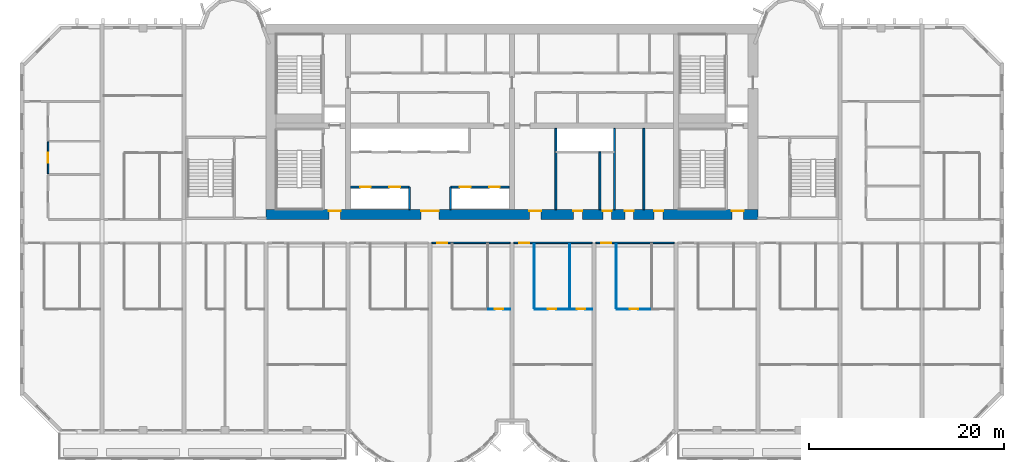
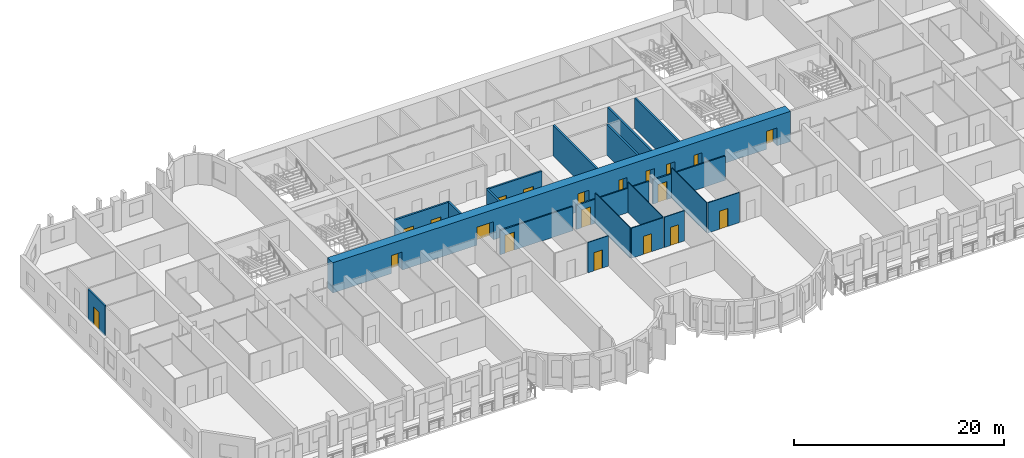
# One storey, part 5 of 15: 20 doors, 20 walls, 20 openings.
"""IFC4 building model written with IfcOpenShell, lengths in metres."""

from ifc_helpers import new_model, si_unit, direction, frame, frame_2d, origin, place, context, subcontext, project, spatial, rectangle, extrude, source, transform, mapped, material, layer, layer_set, type_object, element, fill, save


model = new_model("IFC4")

# Units and contexts
model_context = context("Model", 3, precision=1e-05, world=origin(), true_north=direction((0.0, 1.0)))
body_context = subcontext(model_context, "Body", "Model", "MODEL_VIEW")
ifc_project = project(units=[si_unit("LENGTHUNIT", "METRE"), si_unit("AREAUNIT", "SQUARE_METRE"), si_unit("VOLUMEUNIT", "CUBIC_METRE"), si_unit("PLANEANGLEUNIT", "RADIAN"), si_unit("MASSUNIT", "GRAM", prefix="KILO")], contexts=[model_context])

# Site, building, storey
site_placement = place(None, origin())
site = spatial("IfcSite", under=ifc_project, at=site_placement, CompositionType="ELEMENT")
building_placement = place(site_placement, origin())
building = spatial("IfcBuilding", under=site, at=building_placement, Name="Vanashikhar Sky Hotel", CompositionType="ELEMENT")
storey_placement = place(building_placement, frame((0.0, 0.0, 62.0)))
storey = spatial("IfcBuildingStorey", under=building, at=storey_placement, Name="L14", CompositionType="ELEMENT", Elevation=62.0)

# Wall, openings, doors
ifc_material_1 = material(Name="Concrete M80", Category="concrete")
ifc_layer_1 = layer(ifc_material_1, 1.0)
ifc_layer_set_1 = layer_set([ifc_layer_1], Name="RC core shell wall 1000 Concrete M80")
wall_type_1 = type_object("IfcWallType", Name="RC core shell wall 1000 Concrete M80", PredefinedType="SHEAR", material=ifc_layer_set_1)
shared_shape_1 = source(origin(), body_context, "Body", "SweptSolid", [
    extrude(rectangle(XDim=50.400146484375, YDim=1.0, at=frame_2d((25.2001953125, 0.0))), origin(), (0.0, 0.0, 1.0), 3.52001953125),
])
wall_1_placement = place(storey_placement, frame((25.199951171875, 22.5, 0.0), z_axis=(0.0, 0.0, 1.0), x_axis=(1.0, 0.0, 0.0)))
wall_1 = element("IfcWall", 1, at=wall_1_placement, inside=storey, type_object=wall_type_1, Name="KW-L14-KS", PredefinedType="SHEAR", context=body_context, shape_type="MappedRepresentation", body=[
    mapped(shared_shape_1, transform((0.0, 0.0, 0.0), scale=1.0)),
])
shared_shape_2 = source(origin(), body_context, "Body", "SweptSolid", [
    extrude(rectangle(XDim=1.800048828125, YDim=2.10009765625, at=frame_2d((0.89990234375, 1.050048828125))), frame((0.0, 0.510009765625, 0.0), z_axis=(0.0, -1.0, 0.0), x_axis=(1.0, 0.0, 0.0)), (0.0, 0.0, 1.0), 1.02001953125),
])
opening_1_placement = place(wall_1_placement, frame((15.89990234375, 0.0, 0.0)))
opening_1 = element("IfcOpeningElement", 2, at=opening_1_placement, cuts=wall_1, Name="Opening DC-3-A", PredefinedType="OPENING", context=body_context, shape_type="MappedRepresentation", body=[
    mapped(shared_shape_2, transform((0.0, 0.0, 0.0), scale=1.0)),
])
shared_shape_3 = source(origin(), body_context, "Body", "SweptSolid", [
    extrude(rectangle(XDim=1.199951171875, YDim=2.10009765625, at=frame_2d((0.60009765625, 1.050048828125))), frame((0.0, 0.510009765625, 0.0), z_axis=(0.0, -1.0, 0.0), x_axis=(1.0, 0.0, 0.0)), (0.0, 0.0, 1.0), 1.02001953125),
])
opening_2_placement = place(wall_1_placement, frame((26.987060546875, 0.0, 0.0)))
opening_2 = element("IfcOpeningElement", 3, at=opening_2_placement, cuts=wall_1, Name="Opening DC-4-B", PredefinedType="OPENING", context=body_context, shape_type="MappedRepresentation", body=[
    mapped(shared_shape_3, transform((0.0, 0.0, 0.0), scale=1.0)),
])
shared_shape_4 = source(origin(), body_context, "Body", "SweptSolid", [
    extrude(rectangle(XDim=0.89990234375, YDim=2.10009765625, at=frame_2d((0.449951171875, 1.050048828125))), frame((0.0, 0.510009765625, 0.0), z_axis=(0.0, -1.0, 0.0), x_axis=(1.0, 0.0, 0.0)), (0.0, 0.0, 1.0), 1.02001953125),
])
opening_3_placement = place(wall_1_placement, frame((34.5, 0.0, 0.0)))
opening_3 = element("IfcOpeningElement", 4, at=opening_3_placement, cuts=wall_1, Name="Opening DC-4-A", PredefinedType="OPENING", context=body_context, shape_type="MappedRepresentation", body=[
    mapped(shared_shape_4, transform((0.0, 0.0, 0.0), scale=1.0)),
])
opening_4_placement = place(wall_1_placement, frame((31.5, 0.0, 0.0)))
opening_4 = element("IfcOpeningElement", 5, at=opening_4_placement, cuts=wall_1, Name="Opening DC-4-A", PredefinedType="OPENING", context=body_context, shape_type="MappedRepresentation", body=[
    mapped(shared_shape_4, transform((0.0, 0.0, 0.0), scale=1.0)),
])
opening_5_placement = place(wall_1_placement, frame((39.76904296875, 0.0, 0.0)))
opening_5 = element("IfcOpeningElement", 6, at=opening_5_placement, cuts=wall_1, Name="Opening DC-4-A", PredefinedType="OPENING", context=body_context, shape_type="MappedRepresentation", body=[
    mapped(shared_shape_4, transform((0.0, 0.0, 0.0), scale=1.0)),
])
opening_6_placement = place(wall_1_placement, frame((36.756103515625, 0.0, 0.0)))
opening_6 = element("IfcOpeningElement", 7, at=opening_6_placement, cuts=wall_1, Name="Opening DC-4-A", PredefinedType="OPENING", context=body_context, shape_type="MappedRepresentation", body=[
    mapped(shared_shape_4, transform((0.0, 0.0, 0.0), scale=1.0)),
])
opening_7_placement = place(wall_1_placement, frame((6.43798828125, 0.0, 0.0)))
opening_7 = element("IfcOpeningElement", 8, at=opening_7_placement, cuts=wall_1, Name="Opening DC-2", PredefinedType="OPENING", context=body_context, shape_type="MappedRepresentation", body=[
    mapped(shared_shape_3, transform((0.0, 0.0, 0.0), scale=1.0)),
])
opening_8_placement = place(wall_1_placement, frame((47.72509765625, 0.0, 0.0)))
opening_8 = element("IfcOpeningElement", 9, at=opening_8_placement, cuts=wall_1, Name="Opening DC-2", PredefinedType="OPENING", context=body_context, shape_type="MappedRepresentation", body=[
    mapped(shared_shape_3, transform((0.0, 0.0, 0.0), scale=1.0)),
])
ifc_material_2 = material(Name="Glass", Category="glass")
door_type_1 = type_object("IfcDoorType", Name="Lift lobby entrance door 1800 FD30S", OperationType="NOTDEFINED", PredefinedType="DOOR", material=ifc_material_2)
shared_shape_5 = source(origin(), body_context, "Body", "SweptSolid", [
    extrude(rectangle(XDim=1.800048828125, YDim=2.10009765625, at=frame_2d((0.89990234375, 1.050048828125))), frame((0.0, 0.375, 0.0), z_axis=(0.0, -1.0, 0.0), x_axis=(1.0, 0.0, 0.0)), (0.0, 0.0, 1.0), 0.050048828125),
])
door_1_placement = place(opening_1_placement, origin())
door_1 = element("IfcDoor", 10, at=door_1_placement, inside=storey, type_object=door_type_1, Name="Lift lobby entrance door 1800 FD30S", OperationType="DOUBLE_DOOR_SINGLE_SWING", OverallHeight=2.10009765625, OverallWidth=1.800048828125, PredefinedType="DOOR", context=body_context, shape_type="MappedRepresentation", body=[
    mapped(shared_shape_5, transform((0.0, 0.0, 0.0), scale=1.0)),
])
fill(opening_1, door_1)
ifc_material_3 = material(Name="Steel", Category="steel")
door_type_2 = type_object("IfcDoorType", Name="Service door 1200 FD60", OperationType="NOTDEFINED", PredefinedType="DOOR", material=ifc_material_3)
shared_shape_6 = source(origin(), body_context, "Body", "SweptSolid", [
    extrude(rectangle(XDim=1.199951171875, YDim=2.10009765625, at=frame_2d((0.60009765625, 1.050048828125))), frame((0.0, 0.375, 0.0), z_axis=(0.0, -1.0, 0.0), x_axis=(1.0, 0.0, 0.0)), (0.0, 0.0, 1.0), 0.050048828125),
])
door_2_placement = place(opening_2_placement, origin())
door_2 = element("IfcDoor", 11, at=door_2_placement, inside=storey, type_object=door_type_2, Name="Service door 1200 FD60", OperationType="SINGLE_SWING_LEFT", OverallHeight=2.10009765625, OverallWidth=1.199951171875, PredefinedType="DOOR", context=body_context, shape_type="MappedRepresentation", body=[
    mapped(shared_shape_6, transform((0.0, 0.0, 0.0), scale=1.0)),
])
fill(opening_2, door_2)
door_type_3 = type_object("IfcDoorType", Name="Firefighting lobby door 1200 FD120", OperationType="NOTDEFINED", PredefinedType="DOOR", material=ifc_material_3)
door_3_placement = place(opening_7_placement, origin())
door_3 = element("IfcDoor", 12, at=door_3_placement, inside=storey, type_object=door_type_3, Name="Firefighting lobby door 1200 FD120", OperationType="SINGLE_SWING_LEFT", OverallHeight=2.10009765625, OverallWidth=1.199951171875, PredefinedType="DOOR", context=body_context, shape_type="MappedRepresentation", body=[
    mapped(shared_shape_6, transform((0.0, 0.0, 0.0), scale=1.0)),
])
fill(opening_7, door_3)
door_4_placement = place(opening_8_placement, origin())
door_4 = element("IfcDoor", 13, at=door_4_placement, inside=storey, type_object=door_type_3, Name="Firefighting lobby door 1200 FD120", OperationType="SINGLE_SWING_RIGHT", OverallHeight=2.10009765625, OverallWidth=1.199951171875, PredefinedType="DOOR", context=body_context, shape_type="MappedRepresentation", body=[
    mapped(shared_shape_6, transform((0.0, 0.0, 0.0), scale=1.0)),
])
fill(opening_8, door_4)
door_type_4 = type_object("IfcDoorType", Name="Service door 900 FD60", OperationType="NOTDEFINED", PredefinedType="DOOR", material=ifc_material_3)
shared_shape_7 = source(origin(), body_context, "Body", "SweptSolid", [
    extrude(rectangle(XDim=0.89990234375, YDim=2.10009765625, at=frame_2d((0.449951171875, 1.050048828125))), frame((0.0, 0.375, 0.0), z_axis=(0.0, -1.0, 0.0), x_axis=(1.0, 0.0, 0.0)), (0.0, 0.0, 1.0), 0.050048828125),
])
door_5_placement = place(opening_3_placement, origin())
door_5 = element("IfcDoor", 14, at=door_5_placement, inside=storey, type_object=door_type_4, Name="Service door 900 FD60", OperationType="SINGLE_SWING_LEFT", OverallHeight=2.10009765625, OverallWidth=0.89990234375, PredefinedType="DOOR", context=body_context, shape_type="MappedRepresentation", body=[
    mapped(shared_shape_7, transform((0.0, 0.0, 0.0), scale=1.0)),
])
fill(opening_3, door_5)
door_6_placement = place(opening_4_placement, origin())
door_6 = element("IfcDoor", 15, at=door_6_placement, inside=storey, type_object=door_type_4, Name="Service door 900 FD60", OperationType="SINGLE_SWING_RIGHT", OverallHeight=2.10009765625, OverallWidth=0.89990234375, PredefinedType="DOOR", context=body_context, shape_type="MappedRepresentation", body=[
    mapped(shared_shape_7, transform((0.0, 0.0, 0.0), scale=1.0)),
])
fill(opening_4, door_6)
door_7_placement = place(opening_5_placement, origin())
door_7 = element("IfcDoor", 16, at=door_7_placement, inside=storey, type_object=door_type_4, Name="Service door 900 FD60", OperationType="SINGLE_SWING_LEFT", OverallHeight=2.10009765625, OverallWidth=0.89990234375, PredefinedType="DOOR", context=body_context, shape_type="MappedRepresentation", body=[
    mapped(shared_shape_7, transform((0.0, 0.0, 0.0), scale=1.0)),
])
fill(opening_5, door_7)
door_8_placement = place(opening_6_placement, origin())
door_8 = element("IfcDoor", 17, at=door_8_placement, inside=storey, type_object=door_type_4, Name="Service door 900 FD60", OperationType="SINGLE_SWING_RIGHT", OverallHeight=2.10009765625, OverallWidth=0.89990234375, PredefinedType="DOOR", context=body_context, shape_type="MappedRepresentation", body=[
    mapped(shared_shape_7, transform((0.0, 0.0, 0.0), scale=1.0)),
])
fill(opening_6, door_8)

ifc_material_4 = material(Name="Concrete M40", Category="concrete")
ifc_layer_2 = layer(ifc_material_4, 0.199951171875)
ifc_layer_set_2 = layer_set([ifc_layer_2], Name="Shaft wall 200")
wall_type_2 = type_object("IfcWallType", Name="Shaft wall 200", PredefinedType="SOLIDWALL", material=ifc_layer_set_2)
shared_shape_8 = source(origin(), body_context, "Body", "SweptSolid", [
    extrude(rectangle(XDim=6.0, YDim=0.199951171875, at=frame_2d((3.0, 0.0))), origin(), (0.0, 0.0, 1.0), 3.52001953125),
])
wall_2_placement = place(storey_placement, frame((44.10009765625, 25.300048828125, 0.0), z_axis=(0.0, 0.0, 1.0), x_axis=(1.0, 0.0, 0.0)))
wall_2 = element("IfcWall", 18, at=wall_2_placement, inside=storey, type_object=wall_type_2, Name="Shaft wall 200", PredefinedType="SOLIDWALL", context=body_context, shape_type="MappedRepresentation", body=[
    mapped(shared_shape_8, transform((0.0, 0.0, 0.0), scale=1.0)),
])
shared_shape_9 = source(origin(), body_context, "Body", "SweptSolid", [
    extrude(rectangle(XDim=1.10009765625, YDim=2.10009765625, at=frame_2d((0.550048828125, 1.050048828125))), frame((0.0, 0.10986328125, 0.0), z_axis=(0.0, -1.0, 0.0), x_axis=(1.0, 0.0, 0.0)), (0.0, 0.0, 1.0), 0.219970703125),
])
opening_9_placement = place(wall_2_placement, frame((0.949951171875, 0.0, 0.0)))
opening_9 = element("IfcOpeningElement", 19, at=opening_9_placement, cuts=wall_2, Name="Opening LD", PredefinedType="OPENING", context=body_context, shape_type="MappedRepresentation", body=[
    mapped(shared_shape_9, transform((0.0, 0.0, 0.0), scale=1.0)),
])
opening_10_placement = place(wall_2_placement, frame((3.949951171875, 0.0, 0.0)))
opening_10 = element("IfcOpeningElement", 20, at=opening_10_placement, cuts=wall_2, Name="Opening LD", PredefinedType="OPENING", context=body_context, shape_type="MappedRepresentation", body=[
    mapped(shared_shape_9, transform((0.0, 0.0, 0.0), scale=1.0)),
])
ifc_material_5 = material(Name="Stainless steel", Category="steel")
door_type_5 = type_object("IfcDoorType", Name="Lift landing door 1100", OperationType="NOTDEFINED", PredefinedType="DOOR", material=ifc_material_5)
shared_shape_10 = source(origin(), body_context, "Body", "SweptSolid", [
    extrude(rectangle(XDim=1.10009765625, YDim=2.10009765625, at=frame_2d((0.550048828125, 1.050048828125))), frame((0.0, 0.02490234375, 0.0), z_axis=(0.0, -1.0, 0.0), x_axis=(1.0, 0.0, 0.0)), (0.0, 0.0, 1.0), 0.050048828125),
])
door_9_placement = place(opening_9_placement, origin())
door_9 = element("IfcDoor", 21, at=door_9_placement, inside=storey, type_object=door_type_5, Name="Lift landing door 1100", OperationType="SLIDING_TO_LEFT", OverallHeight=2.10009765625, OverallWidth=1.10009765625, PredefinedType="DOOR", context=body_context, shape_type="MappedRepresentation", body=[
    mapped(shared_shape_10, transform((0.0, 0.0, 0.0), scale=1.0)),
])
fill(opening_9, door_9)
door_10_placement = place(opening_10_placement, origin())
door_10 = element("IfcDoor", 22, at=door_10_placement, inside=storey, type_object=door_type_5, Name="Lift landing door 1100", OperationType="SLIDING_TO_RIGHT", OverallHeight=2.10009765625, OverallWidth=1.10009765625, PredefinedType="DOOR", context=body_context, shape_type="MappedRepresentation", body=[
    mapped(shared_shape_10, transform((0.0, 0.0, 0.0), scale=1.0)),
])
fill(opening_10, door_10)

shared_shape_11 = source(origin(), body_context, "Body", "SweptSolid", [
    extrude(rectangle(XDim=6.02490234375, YDim=0.199951171875, at=frame_2d((3.012451171875, 0.0))), origin(), (0.0, 0.0, 1.0), 3.52001953125),
])
wall_3_placement = place(storey_placement, frame((33.875, 25.300048828125, 0.0), z_axis=(0.0, 0.0, 1.0), x_axis=(1.0, 0.0, 0.0)))
wall_3 = element("IfcWall", 23, at=wall_3_placement, inside=storey, type_object=wall_type_2, Name="Shaft wall 200", PredefinedType="SOLIDWALL", context=body_context, shape_type="MappedRepresentation", body=[
    mapped(shared_shape_11, transform((0.0, 0.0, 0.0), scale=1.0)),
])
opening_11_placement = place(wall_3_placement, frame((0.97509765625, 0.0, 0.0)))
opening_11 = element("IfcOpeningElement", 24, at=opening_11_placement, cuts=wall_3, Name="Opening LD", PredefinedType="OPENING", context=body_context, shape_type="MappedRepresentation", body=[
    mapped(shared_shape_9, transform((0.0, 0.0, 0.0), scale=1.0)),
])
opening_12_placement = place(wall_3_placement, frame((3.97509765625, 0.0, 0.0)))
opening_12 = element("IfcOpeningElement", 25, at=opening_12_placement, cuts=wall_3, Name="Opening LD", PredefinedType="OPENING", context=body_context, shape_type="MappedRepresentation", body=[
    mapped(shared_shape_9, transform((0.0, 0.0, 0.0), scale=1.0)),
])
door_11_placement = place(opening_11_placement, origin())
door_11 = element("IfcDoor", 26, at=door_11_placement, inside=storey, type_object=door_type_5, Name="Lift landing door 1100", OperationType="SLIDING_TO_LEFT", OverallHeight=2.10009765625, OverallWidth=1.10009765625, PredefinedType="DOOR", context=body_context, shape_type="MappedRepresentation", body=[
    mapped(shared_shape_10, transform((0.0, 0.0, 0.0), scale=1.0)),
])
fill(opening_11, door_11)
door_12_placement = place(opening_12_placement, origin())
door_12 = element("IfcDoor", 27, at=door_12_placement, inside=storey, type_object=door_type_5, Name="Lift landing door 1100", OperationType="SLIDING_TO_RIGHT", OverallHeight=2.10009765625, OverallWidth=1.10009765625, PredefinedType="DOOR", context=body_context, shape_type="MappedRepresentation", body=[
    mapped(shared_shape_10, transform((0.0, 0.0, 0.0), scale=1.0)),
])
fill(opening_12, door_12)

# Walls
shared_shape_12 = source(origin(), body_context, "Body", "SweptSolid", [
    extrude(rectangle(XDim=2.300048828125, YDim=0.199951171875, at=frame_2d((1.14990234375, 0.0))), origin(), (0.0, 0.0, 1.0), 3.52001953125),
])
for number, where, z_axis, x_axis, name in (
    (28, (39.89990234375, 23.0, 0.0), (0.0, 0.0, 1.0), (0.0, 1.0, 0.0), "Shaft wall 200"),
    (29, (44.10009765625, 23.0, 0.0), (0.0, 0.0, 1.0), (0.0, 1.0, 0.0), "Shaft wall 200"),
):
    element("IfcWall", number, at=place(storey_placement, frame(where, z_axis=z_axis, x_axis=x_axis)), inside=storey, type_object=wall_type_2, Name=name, PredefinedType="SOLIDWALL", context=body_context, shape_type="MappedRepresentation", body=[
        mapped(shared_shape_12, transform((0.0, 0.0, 0.0), scale=1.0)),
    ])
ifc_material_6 = material(Name="Gypsum board partition")
ifc_layer_3 = layer(ifc_material_6, 0.14990234375)
ifc_layer_set_3 = layer_set([ifc_layer_3], Name="Service partition 150")
wall_type_3 = type_object("IfcWallType", Name="Service partition 150", PredefinedType="PARTITIONING", material=ifc_layer_set_3)
shared_shape_13 = source(origin(), body_context, "Body", "SweptSolid", [
    extrude(rectangle(XDim=8.324951171875, YDim=0.199951171875, at=frame_2d((4.16259765625, 0.0))), origin(), (0.0, 0.0, 1.0), 3.52001953125),
])
for number, where, z_axis, x_axis, name in (
    (30, (54.89990234375, 23.0, 0.0), (0.0, 0.0, 1.0), (0.0, 1.0, 0.0), "Service partition 150"),
    (31, (60.89990234375, 23.0, 0.0), (0.0, 0.0, 1.0), (0.0, 1.0, 0.0), "Service partition 150"),
    (32, (63.912109375, 23.0, 0.0), (0.0, 0.0, 1.0), (0.0, 1.0, 0.0), "Service partition 150"),
):
    element("IfcWall", number, at=place(storey_placement, frame(where, z_axis=z_axis, x_axis=x_axis)), inside=storey, type_object=wall_type_3, Name=name, PredefinedType="PARTITIONING", context=body_context, shape_type="MappedRepresentation", body=[
        mapped(shared_shape_13, transform((0.0, 0.0, 0.0), scale=1.0)),
    ])
shared_shape_14 = source(origin(), body_context, "Body", "SweptSolid", [
    extrude(rectangle(XDim=5.89990234375, YDim=0.199951171875, at=frame_2d((2.949951171875, 0.0))), origin(), (0.0, 0.0, 1.0), 3.52001953125),
])
wall_4_placement = place(storey_placement, frame((59.39990234375, 23.0, 0.0), z_axis=(0.0, 0.0, 1.0), x_axis=(0.0, 1.0, 0.0)))
element("IfcWall", 33, at=wall_4_placement, inside=storey, type_object=wall_type_3, Name="Service partition 150", PredefinedType="PARTITIONING", context=body_context, shape_type="MappedRepresentation", body=[
    mapped(shared_shape_14, transform((0.0, 0.0, 0.0), scale=1.0)),
])

# Wall, opening, door
ifc_material_7 = material(Name="Gypsum plasterboard partition")
ifc_layer_4 = layer(ifc_material_7, 0.14990234375)
ifc_layer_set_4 = layer_set([ifc_layer_4], Name="Corridor and demising partition 150")
wall_type_4 = type_object("IfcWallType", Name="Corridor and demising partition 150", PredefinedType="PARTITIONING", material=ifc_layer_set_4)
shared_shape_15 = source(origin(), body_context, "Body", "SweptSolid", [
    extrude(rectangle(XDim=3.25, YDim=0.14990234375, at=frame_2d((1.625, 0.0))), origin(), (0.0, 0.0, 1.0), 3.52001953125),
])
wall_5_placement = place(storey_placement, frame((2.875, 26.675048828125, 0.0), z_axis=(0.0, 0.0, 1.0), x_axis=(0.0, 1.0, 0.0)))
wall_5 = element("IfcWall", 34, at=wall_5_placement, inside=storey, type_object=wall_type_4, Name="W-L14-PW073", PredefinedType="PARTITIONING", context=body_context, shape_type="MappedRepresentation", body=[
    mapped(shared_shape_15, transform((0.0, 0.0, 0.0), scale=1.0)),
])
shared_shape_16 = source(origin(), body_context, "Body", "SweptSolid", [
    extrude(rectangle(XDim=1.0, YDim=2.10009765625, at=frame_2d((0.5, 1.050048828125))), frame((0.0, 0.0849609375, 0.0), z_axis=(0.0, -1.0, 0.0), x_axis=(1.0, 0.0, 0.0)), (0.0, 0.0, 1.0), 0.169921875),
])
opening_13_placement = place(wall_5_placement, frame((1.125, 0.0, 0.0)))
opening_13 = element("IfcOpeningElement", 35, at=opening_13_placement, cuts=wall_5, Name="Opening D-01", PredefinedType="OPENING", context=body_context, shape_type="MappedRepresentation", body=[
    mapped(shared_shape_16, transform((0.0, 0.0, 0.0), scale=1.0)),
])
ifc_material_8 = material(Name="Timber fire door", Category="wood")
door_type_6 = type_object("IfcDoorType", Name="Guest entry door 1000 FD30S", OperationType="NOTDEFINED", PredefinedType="DOOR", material=ifc_material_8)
shared_shape_17 = source(origin(), body_context, "Body", "SweptSolid", [
    extrude(rectangle(XDim=1.0, YDim=2.10009765625, at=frame_2d((0.5, 1.050048828125))), frame((0.0, 0.02490234375, 0.0), z_axis=(0.0, -1.0, 0.0), x_axis=(1.0, 0.0, 0.0)), (0.0, 0.0, 1.0), 0.050048828125),
])
door_13_placement = place(opening_13_placement, origin())
door_13 = element("IfcDoor", 36, at=door_13_placement, inside=storey, type_object=door_type_6, Name="D-L14-044", OperationType="SINGLE_SWING_LEFT", OverallHeight=2.10009765625, OverallWidth=1.0, PredefinedType="DOOR", context=body_context, shape_type="MappedRepresentation", body=[
    mapped(shared_shape_17, transform((0.0, 0.0, 0.0), scale=1.0)),
])
fill(opening_13, door_13)

ifc_layer_5 = layer(ifc_material_7, 0.10009765625)
ifc_layer_set_5 = layer_set([ifc_layer_5], Name="Wet room partition 100")
wall_type_5 = type_object("IfcWallType", Name="Wet room partition 100", PredefinedType="PARTITIONING", material=ifc_layer_set_5)
shared_shape_18 = source(origin(), body_context, "Body", "SweptSolid", [
    extrude(rectangle(XDim=3.5, YDim=0.10009765625, at=frame_2d((1.75, 0.0))), origin(), (0.0, 0.0, 1.0), 3.52001953125),
])
wall_6_placement = place(storey_placement, frame((52.75, 12.800048828125, 0.0), z_axis=(0.0, 0.0, 1.0), x_axis=(1.0, 0.0, 0.0)))
wall_6 = element("IfcWall", 37, at=wall_6_placement, inside=storey, type_object=wall_type_5, Name="W-L14-PW036", PredefinedType="PARTITIONING", context=body_context, shape_type="MappedRepresentation", body=[
    mapped(shared_shape_18, transform((0.0, 0.0, 0.0), scale=1.0)),
])
shared_shape_19 = source(origin(), body_context, "Body", "SweptSolid", [
    extrude(rectangle(XDim=0.89990234375, YDim=2.10009765625, at=frame_2d((0.449951171875, 1.050048828125))), frame((0.0, 0.06005859375, 0.0), z_axis=(0.0, -1.0, 0.0), x_axis=(1.0, 0.0, 0.0)), (0.0, 0.0, 1.0), 0.1201171875),
])
opening_14_placement = place(wall_6_placement, frame((1.300048828125, 0.0, 0.0)))
opening_14 = element("IfcOpeningElement", 38, at=opening_14_placement, cuts=wall_6, Name="Opening D-02", PredefinedType="OPENING", context=body_context, shape_type="MappedRepresentation", body=[
    mapped(shared_shape_19, transform((0.0, 0.0, 0.0), scale=1.0)),
])
ifc_material_9 = material(Name="Timber door", Category="wood")
door_type_7 = type_object("IfcDoorType", Name="Internal door 900", OperationType="NOTDEFINED", PredefinedType="DOOR", material=ifc_material_9)
shared_shape_20 = source(origin(), body_context, "Body", "SweptSolid", [
    extrude(rectangle(XDim=0.89990234375, YDim=2.10009765625, at=frame_2d((0.449951171875, 1.050048828125))), frame((0.0, 0.02490234375, 0.0), z_axis=(0.0, -1.0, 0.0), x_axis=(1.0, 0.0, 0.0)), (0.0, 0.0, 1.0), 0.050048828125),
])
door_14_placement = place(opening_14_placement, origin())
door_14 = element("IfcDoor", 39, at=door_14_placement, inside=storey, type_object=door_type_7, Name="D-L14-021", OperationType="SINGLE_SWING_LEFT", OverallHeight=2.10009765625, OverallWidth=0.89990234375, PredefinedType="DOOR", context=body_context, shape_type="MappedRepresentation", body=[
    mapped(shared_shape_20, transform((0.0, 0.0, 0.0), scale=1.0)),
])
fill(opening_14, door_14)

wall_7_placement = place(storey_placement, frame((61.14990234375, 12.800048828125, 0.0), z_axis=(0.0, 0.0, 1.0), x_axis=(1.0, 0.0, 0.0)))
wall_7 = element("IfcWall", 40, at=wall_7_placement, inside=storey, type_object=wall_type_5, Name="W-L14-PW042", PredefinedType="PARTITIONING", context=body_context, shape_type="MappedRepresentation", body=[
    mapped(shared_shape_18, transform((0.0, 0.0, 0.0), scale=1.0)),
])
opening_15_placement = place(wall_7_placement, frame((1.300048828125, 0.0, 0.0)))
opening_15 = element("IfcOpeningElement", 41, at=opening_15_placement, cuts=wall_7, Name="Opening D-02", PredefinedType="OPENING", context=body_context, shape_type="MappedRepresentation", body=[
    mapped(shared_shape_19, transform((0.0, 0.0, 0.0), scale=1.0)),
])
door_15_placement = place(opening_15_placement, origin())
door_15 = element("IfcDoor", 42, at=door_15_placement, inside=storey, type_object=door_type_7, Name="D-L14-025", OperationType="SINGLE_SWING_LEFT", OverallHeight=2.10009765625, OverallWidth=0.89990234375, PredefinedType="DOOR", context=body_context, shape_type="MappedRepresentation", body=[
    mapped(shared_shape_20, transform((0.0, 0.0, 0.0), scale=1.0)),
])
fill(opening_15, door_15)

shared_shape_21 = source(origin(), body_context, "Body", "SweptSolid", [
    extrude(rectangle(XDim=8.0, YDim=0.14990234375, at=frame_2d((4.0, 0.0))), origin(), (0.0, 0.0, 1.0), 2.820068359375),
])
wall_8_placement = place(storey_placement, frame((42.199951171875, 19.60009765625, 0.0), z_axis=(0.0, 0.0, 1.0), x_axis=(1.0, 0.0, 0.0)))
wall_8 = element("IfcWall", 43, at=wall_8_placement, inside=storey, type_object=wall_type_4, Name="W-L14-PW033", PredefinedType="PARTITIONING", context=body_context, shape_type="MappedRepresentation", body=[
    mapped(shared_shape_21, transform((0.0, 0.0, 0.0), scale=1.0)),
])
opening_16_placement = place(wall_8_placement, frame((0.550048828125, 0.0, 0.0)))
opening_16 = element("IfcOpeningElement", 44, at=opening_16_placement, cuts=wall_8, Name="Opening D-01", PredefinedType="OPENING", context=body_context, shape_type="MappedRepresentation", body=[
    mapped(shared_shape_16, transform((0.0, 0.0, 0.0), scale=1.0)),
])
door_16_placement = place(opening_16_placement, origin())
door_16 = element("IfcDoor", 45, at=door_16_placement, inside=storey, type_object=door_type_6, Name="D-L14-020", OperationType="SINGLE_SWING_LEFT", OverallHeight=2.10009765625, OverallWidth=1.0, PredefinedType="DOOR", context=body_context, shape_type="MappedRepresentation", body=[
    mapped(shared_shape_17, transform((0.0, 0.0, 0.0), scale=1.0)),
])
fill(opening_16, door_16)

wall_9_placement = place(storey_placement, frame((50.60009765625, 19.60009765625, 0.0), z_axis=(0.0, 0.0, 1.0), x_axis=(1.0, 0.0, 0.0)))
wall_9 = element("IfcWall", 46, at=wall_9_placement, inside=storey, type_object=wall_type_4, Name="W-L14-PW039", PredefinedType="PARTITIONING", context=body_context, shape_type="MappedRepresentation", body=[
    mapped(shared_shape_21, transform((0.0, 0.0, 0.0), scale=1.0)),
])
opening_17_placement = place(wall_9_placement, frame((0.550048828125, 0.0, 0.0)))
opening_17 = element("IfcOpeningElement", 47, at=opening_17_placement, cuts=wall_9, Name="Opening D-01", PredefinedType="OPENING", context=body_context, shape_type="MappedRepresentation", body=[
    mapped(shared_shape_16, transform((0.0, 0.0, 0.0), scale=1.0)),
])
door_17_placement = place(opening_17_placement, origin())
door_17 = element("IfcDoor", 48, at=door_17_placement, inside=storey, type_object=door_type_6, Name="D-L14-024", OperationType="SINGLE_SWING_LEFT", OverallHeight=2.10009765625, OverallWidth=1.0, PredefinedType="DOOR", context=body_context, shape_type="MappedRepresentation", body=[
    mapped(shared_shape_17, transform((0.0, 0.0, 0.0), scale=1.0)),
])
fill(opening_17, door_17)

wall_10_placement = place(storey_placement, frame((59.0, 19.60009765625, 0.0), z_axis=(0.0, 0.0, 1.0), x_axis=(1.0, 0.0, 0.0)))
wall_10 = element("IfcWall", 49, at=wall_10_placement, inside=storey, type_object=wall_type_4, Name="W-L14-PW044", PredefinedType="PARTITIONING", context=body_context, shape_type="MappedRepresentation", body=[
    mapped(shared_shape_21, transform((0.0, 0.0, 0.0), scale=1.0)),
])
opening_18_placement = place(wall_10_placement, frame((0.550048828125, 0.0, 0.0)))
opening_18 = element("IfcOpeningElement", 50, at=opening_18_placement, cuts=wall_10, Name="Opening D-01", PredefinedType="OPENING", context=body_context, shape_type="MappedRepresentation", body=[
    mapped(shared_shape_16, transform((0.0, 0.0, 0.0), scale=1.0)),
])
door_18_placement = place(opening_18_placement, origin())
door_18 = element("IfcDoor", 51, at=door_18_placement, inside=storey, type_object=door_type_6, Name="D-L14-027", OperationType="SINGLE_SWING_LEFT", OverallHeight=2.10009765625, OverallWidth=1.0, PredefinedType="DOOR", context=body_context, shape_type="MappedRepresentation", body=[
    mapped(shared_shape_17, transform((0.0, 0.0, 0.0), scale=1.0)),
])
fill(opening_18, door_18)

# Walls
shared_shape_22 = source(origin(), body_context, "Body", "SweptSolid", [
    extrude(rectangle(XDim=6.64990234375, YDim=0.10009765625, at=frame_2d((3.324951171875, 0.0))), origin(), (0.0, 0.0, 1.0), 3.52001953125),
])
for number, where, z_axis, x_axis, name in (
    (52, (52.699951171875, 12.875, 0.0), (0.0, 0.0, 1.0), (0.0, 1.0, 0.0), "W-L14-PW034"),
    (53, (56.300048828125, 12.875, 0.0), (0.0, 0.0, 1.0), (0.0, 1.0, 0.0), "W-L14-PW035"),
    (54, (61.10009765625, 12.875, 0.0), (0.0, 0.0, 1.0), (0.0, 1.0, 0.0), "W-L14-PW040"),
):
    element("IfcWall", number, at=place(storey_placement, frame(where, z_axis=z_axis, x_axis=x_axis)), inside=storey, type_object=wall_type_5, Name=name, PredefinedType="PARTITIONING", context=body_context, shape_type="MappedRepresentation", body=[
        mapped(shared_shape_22, transform((0.0, 0.0, 0.0), scale=1.0)),
    ])

# Wall, opening, door
shared_shape_23 = source(origin(), body_context, "Body", "SweptSolid", [
    extrude(rectangle(XDim=2.25, YDim=0.10009765625, at=frame_2d((1.125, 0.0))), origin(), (0.0, 0.0, 1.0), 3.52001953125),
])
wall_11_placement = place(storey_placement, frame((47.949951171875, 12.800048828125, 0.0), z_axis=(0.0, 0.0, 1.0), x_axis=(1.0, 0.0, 0.0)))
wall_11 = element("IfcWall", 55, at=wall_11_placement, inside=storey, type_object=wall_type_5, Name="W-L14-PW032", PredefinedType="PARTITIONING", context=body_context, shape_type="MappedRepresentation", body=[
    mapped(shared_shape_23, transform((0.0, 0.0, 0.0), scale=1.0)),
])
opening_19_placement = place(wall_11_placement, frame((0.675048828125, 0.0, 0.0)))
opening_19 = element("IfcOpeningElement", 56, at=opening_19_placement, cuts=wall_11, Name="Opening D-02", PredefinedType="OPENING", context=body_context, shape_type="MappedRepresentation", body=[
    mapped(shared_shape_19, transform((0.0, 0.0, 0.0), scale=1.0)),
])
door_19_placement = place(opening_19_placement, origin())
door_19 = element("IfcDoor", 57, at=door_19_placement, inside=storey, type_object=door_type_7, Name="D-L14-019", OperationType="SINGLE_SWING_LEFT", OverallHeight=2.10009765625, OverallWidth=0.89990234375, PredefinedType="DOOR", context=body_context, shape_type="MappedRepresentation", body=[
    mapped(shared_shape_20, transform((0.0, 0.0, 0.0), scale=1.0)),
])
fill(opening_19, door_19)

wall_12_placement = place(storey_placement, frame((56.35009765625, 12.800048828125, 0.0), z_axis=(0.0, 0.0, 1.0), x_axis=(1.0, 0.0, 0.0)))
wall_12 = element("IfcWall", 58, at=wall_12_placement, inside=storey, type_object=wall_type_5, Name="W-L14-PW037", PredefinedType="PARTITIONING", context=body_context, shape_type="MappedRepresentation", body=[
    mapped(shared_shape_23, transform((0.0, 0.0, 0.0), scale=1.0)),
])
opening_20_placement = place(wall_12_placement, frame((0.675048828125, 0.0, 0.0)))
opening_20 = element("IfcOpeningElement", 59, at=opening_20_placement, cuts=wall_12, Name="Opening D-02", PredefinedType="OPENING", context=body_context, shape_type="MappedRepresentation", body=[
    mapped(shared_shape_19, transform((0.0, 0.0, 0.0), scale=1.0)),
])
door_20_placement = place(opening_20_placement, origin())
door_20 = element("IfcDoor", 60, at=door_20_placement, inside=storey, type_object=door_type_7, Name="D-L14-022", OperationType="SINGLE_SWING_LEFT", OverallHeight=2.10009765625, OverallWidth=0.89990234375, PredefinedType="DOOR", context=body_context, shape_type="MappedRepresentation", body=[
    mapped(shared_shape_20, transform((0.0, 0.0, 0.0), scale=1.0)),
])
fill(opening_20, door_20)

save(model, "model.ifc")
